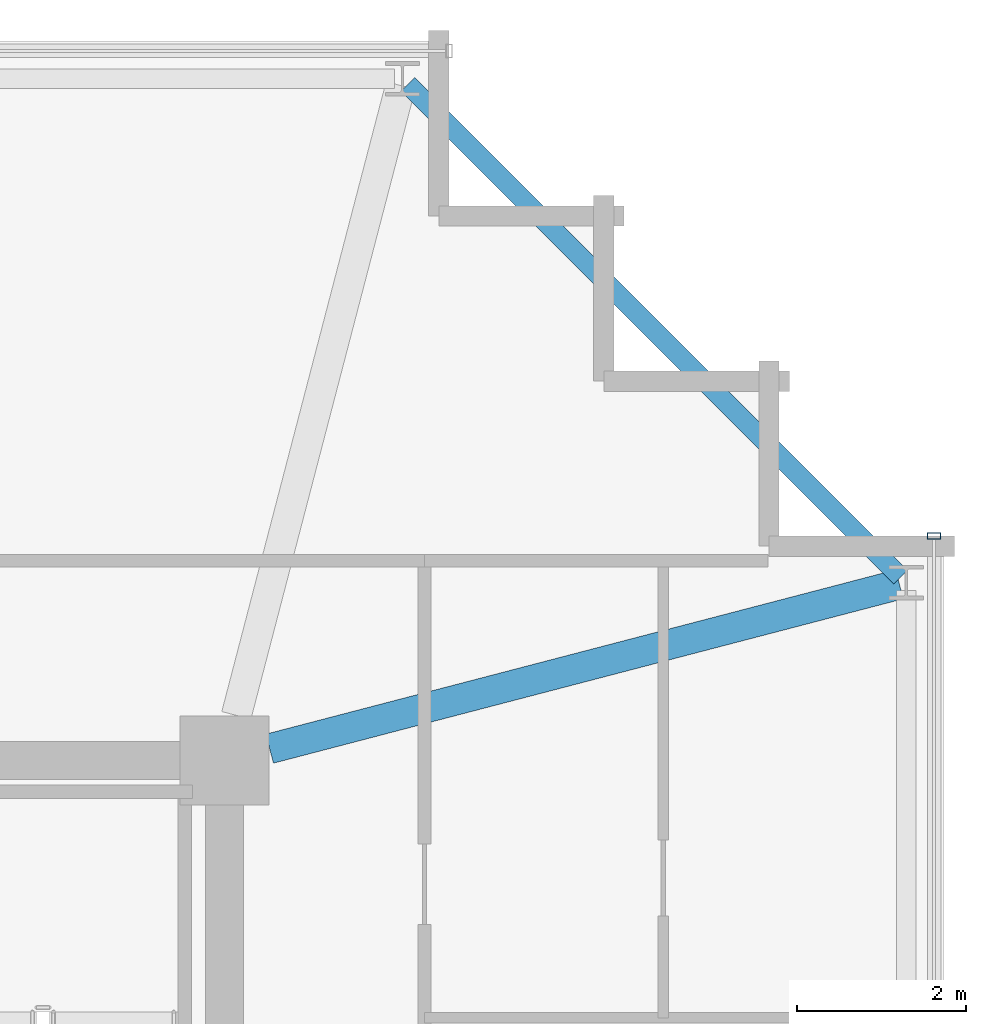
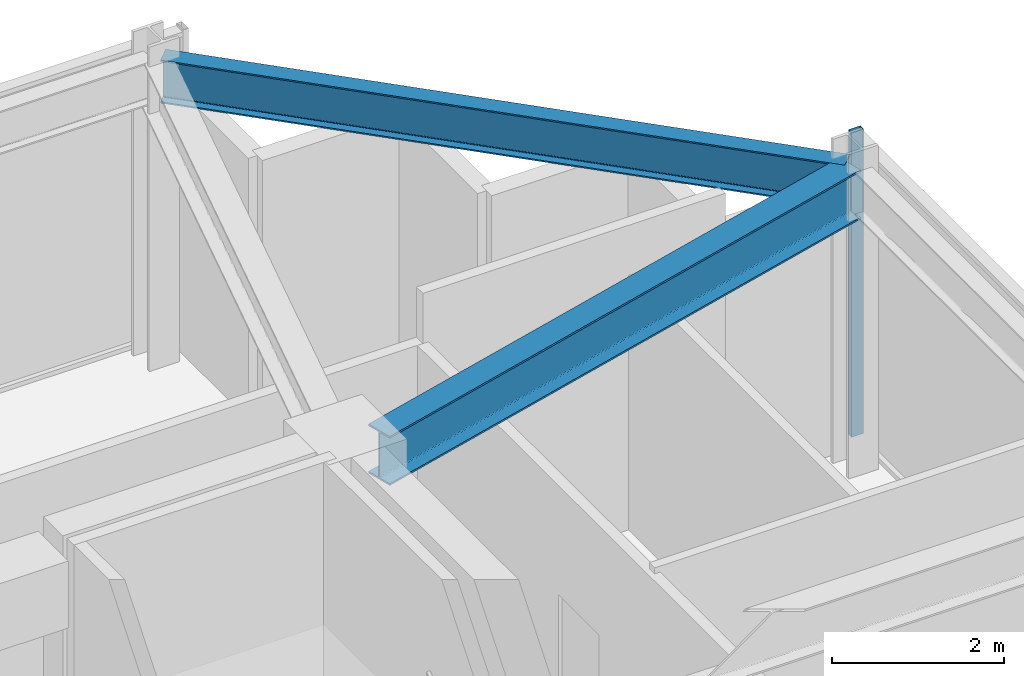
# One storey, part 20 of 30: 2 beams, 1 member, 1 element without a shape of its own.
"""IFC4 building model written with IfcOpenShell, lengths in metres."""

from ifc_helpers import new_model, si_unit, direction, frame, origin, origin_2d, place, context, subcontext, project, spatial, hollow_rectangle, i_section, extrude, material, material_profile, profile_set, type_object, element, aggregate, save


model = new_model("IFC4")

# Units and contexts
model_context = context("Model", 3, precision=1e-05, world=origin(), true_north=direction((0.0, 1.0)))
body_context = subcontext(model_context, "Body", "Model", "MODEL_VIEW")
ifc_project = project(units=[si_unit("LENGTHUNIT", "METRE"), si_unit("AREAUNIT", "SQUARE_METRE"), si_unit("VOLUMEUNIT", "CUBIC_METRE"), si_unit("PLANEANGLEUNIT", "RADIAN"), si_unit("MASSUNIT", "GRAM", prefix="KILO")], contexts=[model_context])

# Site, building, storey
site_placement = place(None, origin())
site = spatial("IfcSite", under=ifc_project, at=site_placement, CompositionType="ELEMENT")
building_placement = place(site_placement, origin())
building = spatial("IfcBuilding", under=site, at=building_placement, Name="Kolvaren Belvedere", CompositionType="ELEMENT")
storey_placement = place(building_placement, frame((0.0, 0.0, 262.800048828125)))
storey = spatial("IfcBuildingStorey", under=building, at=storey_placement, Name="L76", CompositionType="ELEMENT", Elevation=262.800048828125)

# Beams
ifc_material_1 = material(Name="Structural steel ASTM A992 Grade 50", Category="steel")
ifc_material_profile_1 = material_profile(ifc_material_1, i_section(OverallWidth=0.35498046875, OverallDepth=0.696044921875, WebThickness=0.015380859375, FlangeThickness=0.02490234375, FilletRadius=0.02197265625, at=origin_2d()), Name="W27X146")
ifc_profile_set_1 = profile_set([ifc_material_profile_1], Name="Structural steel ASTM A992 Grade 50")
beam_type_1 = type_object("IfcBeamType", Name="BM-GIRD-W27X146", PredefinedType="BEAM", material=ifc_profile_set_1)
beam_1_placement = place(storey_placement, frame((10.43212890625, 10.038818359375, 3.971923828125), z_axis=(0.967614911708, 0.252430946281, 0.0), x_axis=(-0.252430946281, 0.967614911708, 0.0)))
element("IfcBeam", 1, at=beam_1_placement, inside=storey, type_object=beam_type_1, Name="L76 Corner Core-to-Perimeter Girder CC3-E4", PredefinedType="BEAM", context=body_context, shape_type="SweptSolid", body=[
    extrude(i_section(OverallWidth=0.35498046875, OverallDepth=0.696044921875, WebThickness=0.015380859375, FlangeThickness=0.02490234375, FilletRadius=0.02197265625, at=origin_2d()), origin(), (0.0, 0.0, 1.0), 7.68798828125),
])
ifc_material_2 = material(Name="Structural steel ASTM A992 Grade 50", Category="steel")
ifc_material_profile_2 = material_profile(ifc_material_2, i_section(OverallWidth=0.22900390625, OverallDepth=0.612060546875, WebThickness=0.011962890625, FlangeThickness=0.01953125, FilletRadius=0.01806640625, at=origin_2d()), Name="W24X84")
ifc_profile_set_2 = profile_set([ifc_material_profile_2], Name="Structural steel ASTM A992 Grade 50")
beam_type_2 = type_object("IfcBeamType", Name="BM-SPAN-W24X84", PredefinedType="SPANDREL", material=ifc_profile_set_2)
beam_2_placement = place(storey_placement, frame((17.88525390625, 12.064697265625, 4.013916015625), z_axis=(-0.707106781187, 0.707106781187, 0.0), x_axis=(-0.707106781187, -0.707106781187, 0.0)))
element("IfcBeam", 2, at=beam_2_placement, inside=storey, type_object=beam_type_2, Name="L76 Perimeter Spandrel E4-N4", PredefinedType="SPANDREL", context=body_context, shape_type="SweptSolid", body=[
    extrude(i_section(OverallWidth=0.22900390625, OverallDepth=0.612060546875, WebThickness=0.011962890625, FlangeThickness=0.01953125, FilletRadius=0.01806640625, at=origin_2d()), origin(), (0.0, 0.0, 1.0), 8.2314453125),
])

# Curtain wall, member
ifc_material_3 = material(Name="Anodised pale-metal aluminium AA 6063-T6", Category="aluminium")
curtain_wall_type = type_object("IfcCurtainWallType", Name="CW-CRN-OBS", PredefinedType="NOTDEFINED", material=ifc_material_3)
curtain_wall_placement = place(storey_placement, origin())
curtain_wall = element("IfcCurtainWall", 3, at=curtain_wall_placement, inside=storey, type_object=curtain_wall_type, Name="L76 Unitised Curtain Wall FCW-L76-E", PredefinedType="NOTDEFINED")
ifc_material_4 = material(Name="Anodised pale-metal aluminium AA 6063-T6", Category="aluminium")
ifc_material_profile_3 = material_profile(ifc_material_4, hollow_rectangle(XDim=0.074951171875, YDim=0.159912109375, WallThickness=0.00439453125, at=origin_2d()), Name="ALU-MUL-160X75")
ifc_profile_set_3 = profile_set([ifc_material_profile_3], Name="Anodised pale-metal aluminium AA 6063-T6")
member_type = type_object("IfcMemberType", Name="CW-MUL-160", PredefinedType="MULLION", material=ifc_profile_set_3)
member_placement = place(storey_placement, frame((18.280029296875, 12.550048828125, 0.0), z_axis=(0.0, 0.0, 1.0), x_axis=(0.0, 1.0, 0.0)))
member = element("IfcMember", 4, at=member_placement, type_object=member_type, Name="FCW-L76-E Unitised Mullion 1", PredefinedType="MULLION", context=body_context, shape_type="SweptSolid", body=[
    extrude(hollow_rectangle(XDim=0.074951171875, YDim=0.159912109375, WallThickness=0.00439453125, at=origin_2d()), origin(), (0.0, 0.0, 1.0), 4.320068359375),
])
aggregate(curtain_wall, [member])

save(model, "model.ifc")
